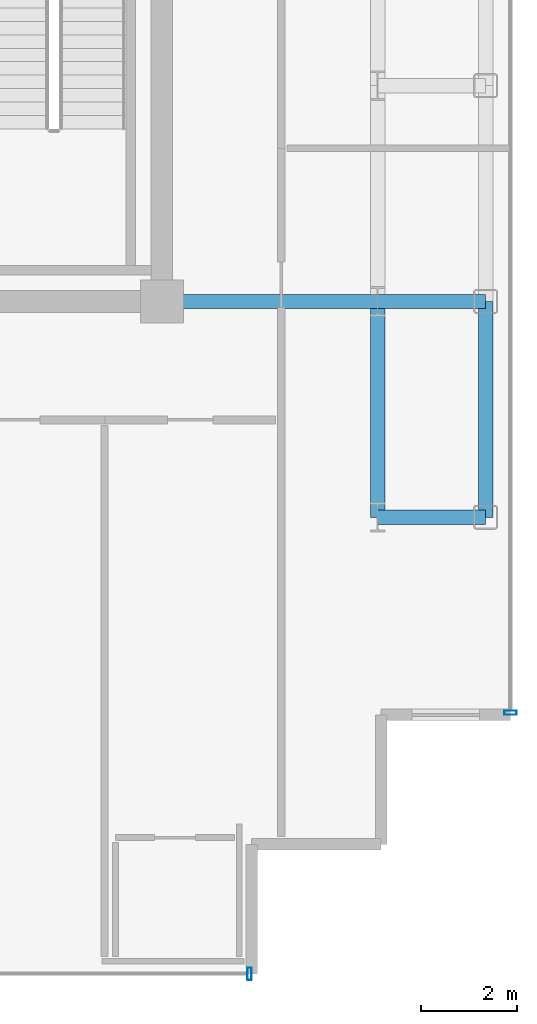
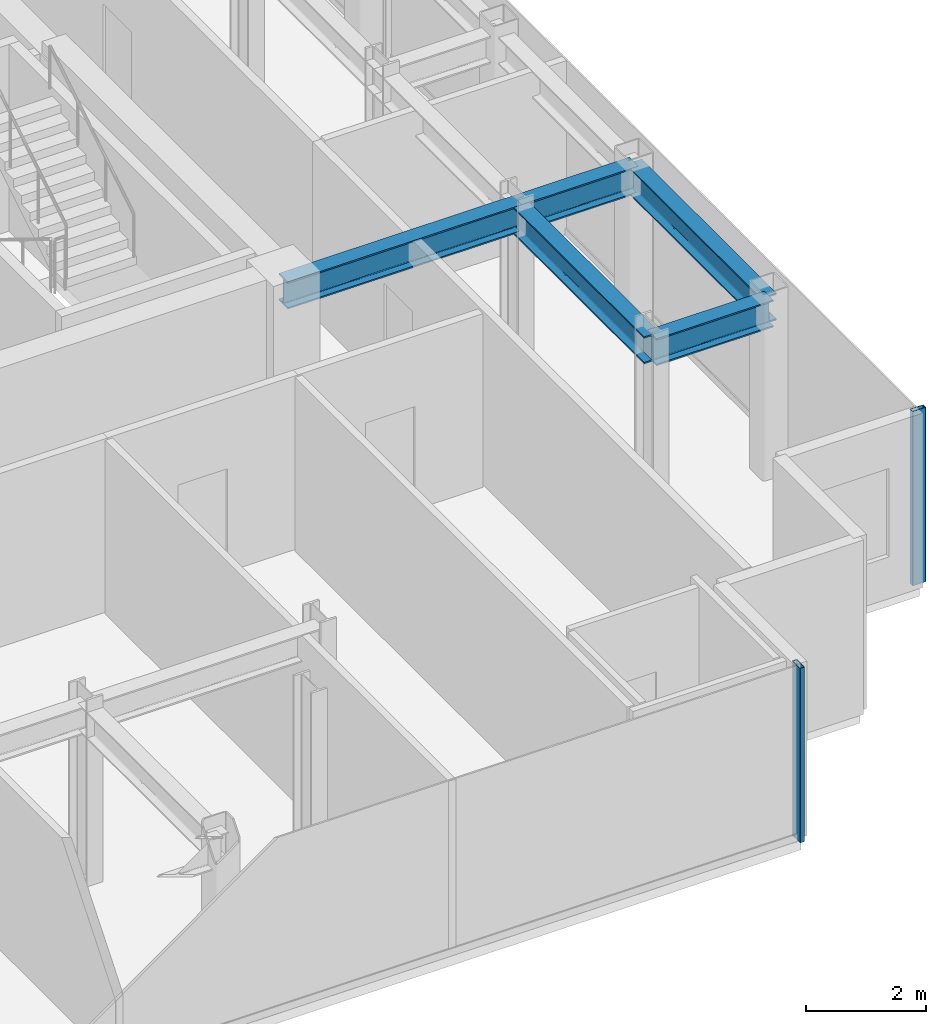
# One storey, part 6 of 18: 5 beams, 2 members, 2 elements without a shape of their own.
"""IFC4 building model written with IfcOpenShell, lengths in metres."""

from ifc_helpers import new_model, si_unit, direction, frame, origin, origin_2d, place, context, subcontext, project, spatial, hollow_rectangle, i_section, extrude, source, transform, mapped, material, layer, layer_set, material_profile, profile_set, type_object, element, aggregate, save


model = new_model("IFC4")

# Units and contexts
model_context = context("Model", 3, precision=1e-05, world=origin(), true_north=direction((0.0, 1.0)))
body_context = subcontext(model_context, "Body", "Model", "MODEL_VIEW")
ifc_project = project(units=[si_unit("LENGTHUNIT", "METRE"), si_unit("AREAUNIT", "SQUARE_METRE"), si_unit("VOLUMEUNIT", "CUBIC_METRE"), si_unit("PLANEANGLEUNIT", "RADIAN"), si_unit("MASSUNIT", "GRAM", prefix="KILO")], contexts=[model_context])

# Site, building, storey
site_placement = place(None, origin())
site = spatial("IfcSite", under=ifc_project, at=site_placement, CompositionType="ELEMENT")
building_placement = place(site_placement, origin())
building = spatial("IfcBuilding", under=site, at=building_placement, Name="Nefas-Gora Pilgrimage Tower", CompositionType="ELEMENT")
storey_placement = place(building_placement, frame((0.0, 0.0, 306.39990234375)))
storey = spatial("IfcBuildingStorey", under=building, at=storey_placement, Name="L77", CompositionType="ELEMENT", Elevation=306.39990234375)

# Beams
ifc_material_1 = material(Name="Steel S355", Category="steel")
ifc_material_profile_1 = material_profile(ifc_material_1, i_section(OverallWidth=0.300048828125, OverallDepth=0.550048828125, WebThickness=0.014892578125, FlangeThickness=0.029052734375, FilletRadius=0.027099609375, at=origin_2d()), Name="HEB 550")
ifc_profile_set_1 = profile_set([ifc_material_profile_1], Name="Steel S355")
beam_type_1 = type_object("IfcBeamType", Name="BM-SPN-HEB400", PredefinedType="SPANDREL", material=ifc_profile_set_1)
shared_shape_1 = source(origin(), body_context, "Body", "SweptSolid", [
    extrude(i_section(OverallWidth=0.300048828125, OverallDepth=0.550048828125, WebThickness=0.014892578125, FlangeThickness=0.029052734375, FilletRadius=0.027099609375, at=origin_2d()), origin(), (0.0, 0.0, 1.0), 4.5),
])
beam_placement = place(storey_placement, frame((18.0, -13.5, 3.275146484375), z_axis=(0.0, 1.0, 0.0), x_axis=(-1.0, 0.0, 0.0)))
element("IfcBeam", 1, at=beam_placement, inside=storey, type_object=beam_type_1, Name="L77 SP-04 beam", PredefinedType="SPANDREL", context=body_context, shape_type="MappedRepresentation", body=[
    mapped(shared_shape_1, transform((0.0, 0.0, 0.0), x_axis=(1.0, 0.0, 0.0), y_axis=(0.0, 1.0, 0.0), z_axis=(0.0, 0.0, 1.0), scale=1.0)),
])
ifc_material_profile_2 = material_profile(ifc_material_1, i_section(OverallWidth=0.300048828125, OverallDepth=0.550048828125, WebThickness=0.014892578125, FlangeThickness=0.029052734375, FilletRadius=0.027099609375, at=origin_2d()), Name="HEB 550")
ifc_profile_set_2 = profile_set([ifc_material_profile_2], Name="Steel S355")
beam_type_2 = type_object("IfcBeamType", Name="BM-GIR-HEB550", PredefinedType="BEAM", material=ifc_profile_set_2)
shared_shape_2 = source(origin(), body_context, "Body", "SweptSolid", [
    extrude(i_section(OverallWidth=0.300048828125, OverallDepth=0.550048828125, WebThickness=0.014892578125, FlangeThickness=0.029052734375, FilletRadius=0.027099609375, at=origin_2d()), origin(), (0.0, 0.0, 1.0), 4.5),
])
for number, where, z_axis, x_axis, name in (
    (2, (11.25, -9.0, 3.275146484375), (1.0, 0.0, 0.0), (0.0, 1.0, 0.0), "L77 G-05 beam"),
    (3, (15.75, -13.5, 3.275146484375), (0.0, 1.0, 0.0), (-1.0, 0.0, 0.0), "L77 G-05 beam"),
):
    element("IfcBeam", number, at=place(storey_placement, frame(where, z_axis=z_axis, x_axis=x_axis)), inside=storey, type_object=beam_type_2, Name=name, PredefinedType="BEAM", context=body_context, shape_type="MappedRepresentation", body=[
        mapped(shared_shape_2, transform((0.0, 0.0, 0.0), x_axis=(1.0, 0.0, 0.0), y_axis=(0.0, 1.0, 0.0), z_axis=(0.0, 0.0, 1.0), scale=1.0)),
    ])
shared_shape_3 = source(origin(), body_context, "Body", "SweptSolid", [
    extrude(i_section(OverallWidth=0.300048828125, OverallDepth=0.550048828125, WebThickness=0.014892578125, FlangeThickness=0.029052734375, FilletRadius=0.027099609375, at=origin_2d()), origin(), (0.0, 0.0, 1.0), 2.25),
])
for number, where, z_axis, x_axis, name in (
    (4, (15.75, -13.5, 3.275146484375), (1.0, 0.0, 0.0), (0.0, 1.0, 0.0), "L77 G-05 beam"),
    (5, (15.75, -9.0, 3.275146484375), (1.0, 0.0, 0.0), (0.0, 1.0, 0.0), "L77 G-05 beam"),
):
    element("IfcBeam", number, at=place(storey_placement, frame(where, z_axis=z_axis, x_axis=x_axis)), inside=storey, type_object=beam_type_2, Name=name, PredefinedType="BEAM", context=body_context, shape_type="MappedRepresentation", body=[
        mapped(shared_shape_3, transform((0.0, 0.0, 0.0), x_axis=(1.0, 0.0, 0.0), y_axis=(0.0, 1.0, 0.0), z_axis=(0.0, 0.0, 1.0), scale=1.0)),
    ])

# Curtain wall, member
ifc_material_2 = material(Name="Dark ceramic-fritted solar-control aluminium-glass curtain wall", Category="aluminium")
ifc_layer = layer(ifc_material_2, 0.219970703125)
ifc_layer_set = layer_set([ifc_layer], Name="Dark ceramic-fritted solar-control aluminium-glass curtain wall")
curtain_wall_type = type_object("IfcCurtainWallType", Name="CW-SYS-4", PredefinedType="NOTDEFINED", material=ifc_layer_set)
curtain_wall_1_placement = place(storey_placement, origin())
curtain_wall_1 = element("IfcCurtainWall", 6, at=curtain_wall_1_placement, inside=storey, type_object=curtain_wall_type, Name="L77 Unitised Curtain Wall CW4", PredefinedType="NOTDEFINED")
ifc_material_3 = material(Name="Anodised architectural aluminium", Category="aluminium")
ifc_material_profile_3 = material_profile(ifc_material_3, hollow_rectangle(XDim=0.090087890625, YDim=0.260009765625, WallThickness=0.006103515625, InnerFilletRadius=0.006103515625, OuterFilletRadius=0.011962890625, at=origin_2d()), Name="ALU MULLION 90x260")
ifc_profile_set_3 = profile_set([ifc_material_profile_3], Name="Anodised architectural aluminium")
member_type = type_object("IfcMemberType", Name="CWM-MUL-4", PredefinedType="MULLION", material=ifc_profile_set_3)
shared_shape_4 = source(origin(), body_context, "Body", "SweptSolid", [
    extrude(hollow_rectangle(XDim=0.090087890625, YDim=0.260009765625, WallThickness=0.006103515625, InnerFilletRadius=0.006103515625, OuterFilletRadius=0.011962890625, at=origin_2d()), origin(), (0.0, 0.0, 1.0), 3.550048828125),
])
member_1_placement = place(storey_placement, frame((18.52001953125, -17.574951171875, 0.0), z_axis=(0.0, 0.0, 1.0), x_axis=(0.0, 1.0, 0.0)))
member_1 = element("IfcMember", 7, at=member_1_placement, type_object=member_type, Name="CW4 Mullion 1", PredefinedType="MULLION", context=body_context, shape_type="MappedRepresentation", body=[
    mapped(shared_shape_4, transform((0.0, 0.0, 0.0), x_axis=(1.0, 0.0, 0.0), y_axis=(0.0, 1.0, 0.0), z_axis=(0.0, 0.0, 1.0), scale=1.0)),
])
aggregate(curtain_wall_1, [member_1])

curtain_wall_2_placement = place(storey_placement, origin())
curtain_wall_2 = element("IfcCurtainWall", 8, at=curtain_wall_2_placement, inside=storey, type_object=curtain_wall_type, Name="L77 Unitised Curtain Wall CW4", PredefinedType="NOTDEFINED")
member_2_placement = place(storey_placement, frame((13.074951171875, -23.02001953125, 0.0), z_axis=(0.0, 0.0, 1.0), x_axis=(1.0, 0.0, 0.0)))
member_2 = element("IfcMember", 9, at=member_2_placement, type_object=member_type, Name="CW4 Mullion 2", PredefinedType="MULLION", context=body_context, shape_type="MappedRepresentation", body=[
    mapped(shared_shape_4, transform((0.0, 0.0, 0.0), x_axis=(1.0, 0.0, 0.0), y_axis=(0.0, 1.0, 0.0), z_axis=(0.0, 0.0, 1.0), scale=1.0)),
])
aggregate(curtain_wall_2, [member_2])

save(model, "model.ifc")
